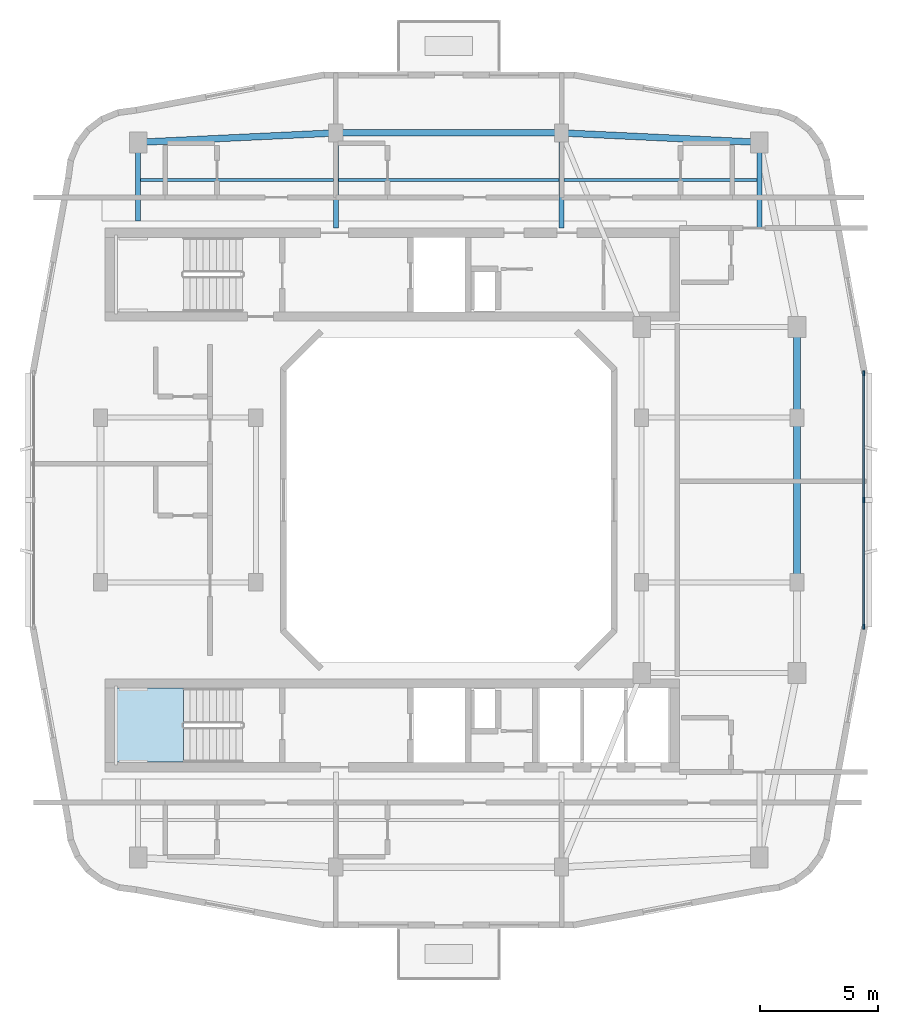
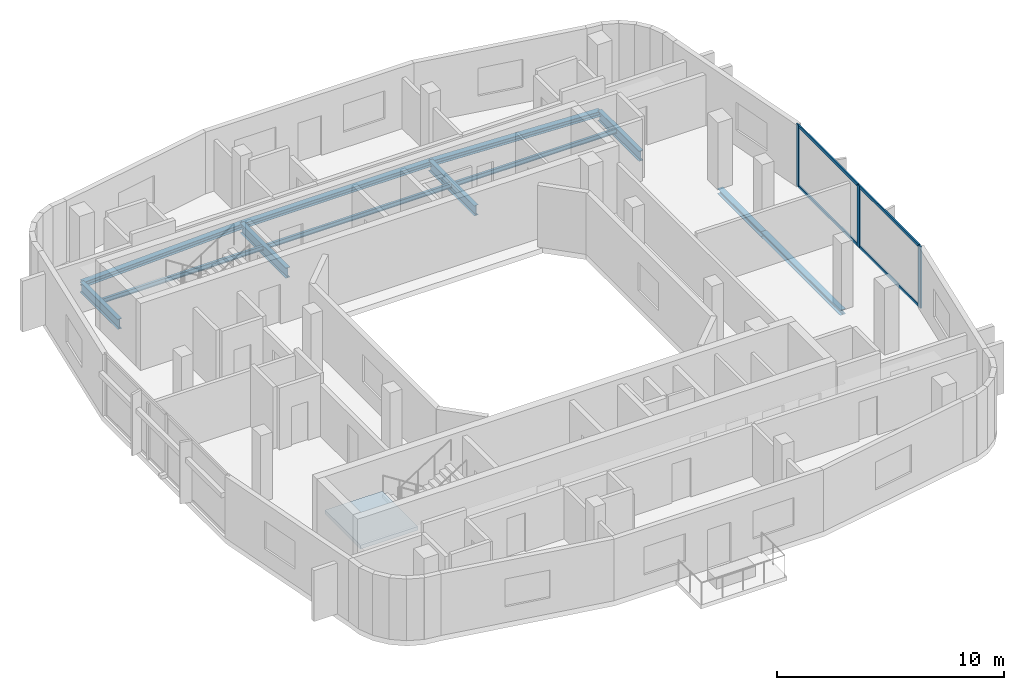
# One storey, part 2 of 10: 12 beams, 7 members, 1 slab, 2 elements without a shape of their own.
"""IFC4 building model written with IfcOpenShell, lengths in metres."""

from ifc_helpers import new_model, si_unit, derived_unit, direction, frame, origin, origin_2d, place, context, subcontext, project, spatial, polyline, rectangle, i_section, outline, extrude, material, layer, layer_set, material_profile, profile_set, type_object, element, aggregate, save


model = new_model("IFC4")

# Units and contexts
model_context = context("Model", 3, precision=1e-05, world=origin(), true_north=direction((0.0, 1.0)))
body_context = subcontext(model_context, "Body", "Model", "MODEL_VIEW")
ifc_project = project(units=[si_unit("LENGTHUNIT", "METRE"), si_unit("AREAUNIT", "SQUARE_METRE"), si_unit("VOLUMEUNIT", "CUBIC_METRE"), si_unit("PLANEANGLEUNIT", "RADIAN"), si_unit("MASSUNIT", "GRAM", prefix="KILO"), derived_unit("THERMALTRANSMITTANCEUNIT", [(si_unit("POWERUNIT", "WATT"), 1), (si_unit("LENGTHUNIT", "METRE"), -2), (si_unit("THERMODYNAMICTEMPERATUREUNIT", "KELVIN"), -1)])], contexts=[model_context])

# Site, building, storey
site_placement = place(None, origin())
site = spatial("IfcSite", under=ifc_project, at=site_placement, CompositionType="ELEMENT")
building_placement = place(site_placement, origin())
building = spatial("IfcBuilding", under=site, at=building_placement, Name="Kivonza Crest Hotel", CompositionType="ELEMENT")
storey_placement = place(building_placement, frame((0.0, 0.0, 254.0)))
storey = spatial("IfcBuildingStorey", under=building, at=storey_placement, Name="L69", CompositionType="ELEMENT", Elevation=254.0)

# Beams
ifc_material_1 = material(Name="Steel S355", Category="steel")
ifc_material_profile_1 = material_profile(ifc_material_1, i_section(OverallWidth=0.280029296875, OverallDepth=0.280029296875, WebThickness=0.010498046875, FlangeThickness=0.01806640625, FilletRadius=0.02392578125, at=origin_2d()), Name="HEB 280")
ifc_profile_set_1 = profile_set([ifc_material_profile_1], Name="Steel S355")
beam_type_1 = type_object("IfcBeamType", Name="BM-HEB280", PredefinedType="SPANDREL", material=ifc_profile_set_1)
beam_1_placement = place(storey_placement, frame((35.800048828125, 21.5, -0.419921875), z_axis=(0.0, 1.0, 0.0), x_axis=(-1.0, 0.0, 0.0)))
element("IfcBeam", 1, at=beam_1_placement, inside=storey, type_object=beam_type_1, Name="Tower T1 L69 perimeter spandrel E1-E2", PredefinedType="SPANDREL", context=body_context, shape_type="SweptSolid", body=[
    extrude(i_section(OverallWidth=0.280029296875, OverallDepth=0.280029296875, WebThickness=0.010498046875, FlangeThickness=0.01806640625, FilletRadius=0.02392578125, at=origin_2d()), origin(), (0.0, 0.0, 1.0), 7.0),
])
beam_2_placement = place(storey_placement, frame((35.800048828125, 28.5, -0.419921875), z_axis=(0.0, 1.0, 0.0), x_axis=(-1.0, 0.0, 0.0)))
element("IfcBeam", 2, at=beam_2_placement, inside=storey, type_object=beam_type_1, Name="Tower T1 L69 perimeter spandrel E2-PNE", PredefinedType="SPANDREL", context=body_context, shape_type="SweptSolid", body=[
    extrude(i_section(OverallWidth=0.280029296875, OverallDepth=0.280029296875, WebThickness=0.010498046875, FlangeThickness=0.01806640625, FilletRadius=0.02392578125, at=origin_2d()), origin(), (0.0, 0.0, 1.0), 3.85009765625),
])
beam_3_placement = place(storey_placement, frame((34.199951171875, 40.199951171875, -0.419921875), z_axis=(-0.998867283688, 0.047583080799, 0.0), x_axis=(-0.047583080799, -0.998867283688, 0.0)))
element("IfcBeam", 3, at=beam_3_placement, inside=storey, type_object=beam_type_1, Name="Tower T1 L69 perimeter spandrel NE-N2", PredefinedType="SPANDREL", context=body_context, shape_type="SweptSolid", body=[
    extrude(i_section(OverallWidth=0.280029296875, OverallDepth=0.280029296875, WebThickness=0.010498046875, FlangeThickness=0.01806640625, FilletRadius=0.02392578125, at=origin_2d()), origin(), (0.0, 0.0, 1.0), 8.409423828125),
])
beam_4_placement = place(storey_placement, frame((25.800048828125, 40.60009765625, -0.419921875), z_axis=(-1.0, 0.0, 0.0), x_axis=(0.0, -1.0, 0.0)))
element("IfcBeam", 4, at=beam_4_placement, inside=storey, type_object=beam_type_1, Name="Tower T1 L69 perimeter spandrel N2-N1", PredefinedType="SPANDREL", context=body_context, shape_type="SweptSolid", body=[
    extrude(i_section(OverallWidth=0.280029296875, OverallDepth=0.280029296875, WebThickness=0.010498046875, FlangeThickness=0.01806640625, FilletRadius=0.02392578125, at=origin_2d()), origin(), (0.0, 0.0, 1.0), 9.60009765625),
])
beam_5_placement = place(storey_placement, frame((16.199951171875, 40.60009765625, -0.419921875), z_axis=(-0.998867283688, -0.047583080799, 0.0), x_axis=(0.047583080799, -0.998867283688, 0.0)))
element("IfcBeam", 5, at=beam_5_placement, inside=storey, type_object=beam_type_1, Name="Tower T1 L69 perimeter spandrel N1-NW", PredefinedType="SPANDREL", context=body_context, shape_type="SweptSolid", body=[
    extrude(i_section(OverallWidth=0.280029296875, OverallDepth=0.280029296875, WebThickness=0.010498046875, FlangeThickness=0.01806640625, FilletRadius=0.02392578125, at=origin_2d()), origin(), (0.0, 0.0, 1.0), 8.409423828125),
])
ifc_material_profile_2 = material_profile(ifc_material_1, i_section(OverallWidth=0.1201171875, OverallDepth=0.239990234375, WebThickness=0.006103515625, FlangeThickness=0.009765625, FilletRadius=0.014892578125, at=origin_2d()), Name="IPE 240")
ifc_profile_set_2 = profile_set([ifc_material_profile_2], Name="Steel S355")
beam_type_2 = type_object("IfcBeamType", Name="BM-IPE240", PredefinedType="JOIST", material=ifc_profile_set_2)
beam_6_placement = place(storey_placement, frame((7.8798828125, 38.60009765625, -0.39990234375), z_axis=(1.0, 0.0, 0.0), x_axis=(0.0, 1.0, 0.0)))
element("IfcBeam", 6, at=beam_6_placement, inside=storey, type_object=beam_type_2, Name="Tower T1 L69 North-West floor joist", PredefinedType="JOIST", context=body_context, shape_type="SweptSolid", body=[
    extrude(i_section(OverallWidth=0.1201171875, OverallDepth=0.239990234375, WebThickness=0.006103515625, FlangeThickness=0.009765625, FilletRadius=0.014892578125, at=origin_2d()), origin(), (0.0, 0.0, 1.0), 8.240234375),
])
beam_7_placement = place(storey_placement, frame((16.280029296875, 38.60009765625, -0.39990234375), z_axis=(1.0, 0.0, 0.0), x_axis=(0.0, 1.0, 0.0)))
element("IfcBeam", 7, at=beam_7_placement, inside=storey, type_object=beam_type_2, Name="Tower T1 L69 North-Mid floor joist", PredefinedType="JOIST", context=body_context, shape_type="SweptSolid", body=[
    extrude(i_section(OverallWidth=0.1201171875, OverallDepth=0.239990234375, WebThickness=0.006103515625, FlangeThickness=0.009765625, FilletRadius=0.014892578125, at=origin_2d()), origin(), (0.0, 0.0, 1.0), 9.43994140625),
])
beam_8_placement = place(storey_placement, frame((25.8798828125, 38.60009765625, -0.39990234375), z_axis=(1.0, 0.0, 0.0), x_axis=(0.0, 1.0, 0.0)))
element("IfcBeam", 8, at=beam_8_placement, inside=storey, type_object=beam_type_2, Name="Tower T1 L69 North-East floor joist", PredefinedType="JOIST", context=body_context, shape_type="SweptSolid", body=[
    extrude(i_section(OverallWidth=0.1201171875, OverallDepth=0.239990234375, WebThickness=0.006103515625, FlangeThickness=0.009765625, FilletRadius=0.014892578125, at=origin_2d()), origin(), (0.0, 0.0, 1.0), 8.240234375),
])
ifc_material_profile_3 = material_profile(ifc_material_1, i_section(OverallWidth=0.2099609375, OverallDepth=0.550048828125, WebThickness=0.010986328125, FlangeThickness=0.01708984375, FilletRadius=0.02392578125, at=origin_2d()), Name="IPE 550")
ifc_profile_set_3 = profile_set([ifc_material_profile_3], Name="Steel S355")
beam_type_3 = type_object("IfcBeamType", Name="BM-IPE550", PredefinedType="BEAM", material=ifc_profile_set_3)
beam_9_placement = place(storey_placement, frame((7.800048828125, 40.199951171875, -0.554931640625), z_axis=(0.0, -1.0, 0.0), x_axis=(1.0, 0.0, 0.0)))
element("IfcBeam", 9, at=beam_9_placement, inside=storey, type_object=beam_type_3, Name="Tower T1 L69 radial core girder RNW", PredefinedType="BEAM", context=body_context, shape_type="SweptSolid", body=[
    extrude(i_section(OverallWidth=0.2099609375, OverallDepth=0.550048828125, WebThickness=0.010986328125, FlangeThickness=0.01708984375, FilletRadius=0.02392578125, at=origin_2d()), origin(), (0.0, 0.0, 1.0), 3.349853515625),
])
for number, where, z_axis, x_axis, name in (
    (10, (16.199951171875, 40.60009765625, -0.554931640625), (0.0, -1.0, 0.0), (1.0, 0.0, 0.0), "Tower T1 L69 radial core girder RN1"),
    (11, (25.800048828125, 40.60009765625, -0.554931640625), (0.0, -1.0, 0.0), (1.0, 0.0, 0.0), "Tower T1 L69 radial core girder RN2"),
):
    element("IfcBeam", number, at=place(storey_placement, frame(where, z_axis=z_axis, x_axis=x_axis)), inside=storey, type_object=beam_type_3, Name=name, PredefinedType="BEAM", context=body_context, shape_type="SweptSolid", body=[
        extrude(i_section(OverallWidth=0.2099609375, OverallDepth=0.550048828125, WebThickness=0.010986328125, FlangeThickness=0.01708984375, FilletRadius=0.02392578125, at=origin_2d()), origin(), (0.0, 0.0, 1.0), 4.050048828125),
    ])
beam_10_placement = place(storey_placement, frame((34.199951171875, 40.199951171875, -0.554931640625), z_axis=(0.0, -1.0, 0.0), x_axis=(1.0, 0.0, 0.0)))
element("IfcBeam", 12, at=beam_10_placement, inside=storey, type_object=beam_type_3, Name="Tower T1 L69 radial core girder RNE", PredefinedType="BEAM", context=body_context, shape_type="SweptSolid", body=[
    extrude(i_section(OverallWidth=0.2099609375, OverallDepth=0.550048828125, WebThickness=0.010986328125, FlangeThickness=0.01708984375, FilletRadius=0.02392578125, at=origin_2d()), origin(), (0.0, 0.0, 1.0), 3.64990234375),
])

# Curtain wall, members
ifc_material_2 = material(Name="Anodised bronze aluminium and low-E double glazing", Category="aluminium")
ifc_layer_1 = layer(ifc_material_2, 0.179931640625)
ifc_layer_set_1 = layer_set([ifc_layer_1], Name="Anodised bronze aluminium and low-E double glazing")
curtain_wall_type = type_object("IfcCurtainWallType", Name="CW-SYS-3", PredefinedType="NOTDEFINED", material=ifc_layer_set_1)
curtain_wall_placement = place(storey_placement, origin())
curtain_wall = element("IfcCurtainWall", 13, at=curtain_wall_placement, inside=storey, type_object=curtain_wall_type, Name="L69 unitised curtain wall CW-T1-L69-17", PredefinedType="NOTDEFINED")
ifc_material_3 = material(Name="Anodised bronze aluminium", Category="aluminium")
ifc_material_profile_4 = material_profile(ifc_material_3, rectangle(XDim=0.074951171875, YDim=0.219970703125, at=origin_2d()), Name="CW-M 75x220")
ifc_profile_set_4 = profile_set([ifc_material_profile_4], Name="Anodised bronze aluminium")
member_type_1 = type_object("IfcMemberType", Name="CW-MUL-75x220", PredefinedType="MULLION", material=ifc_profile_set_4)
member_1_placement = place(storey_placement, frame((38.639892578125, 19.617431640625, 0.0), z_axis=(0.0, 0.0, 1.0), x_axis=(-1.0, 0.0, 0.0)))
member_1 = element("IfcMember", 14, at=member_1_placement, type_object=member_type_1, Name="CW-3 mullion 1", PredefinedType="MULLION", context=body_context, shape_type="SweptSolid", body=[
    extrude(rectangle(XDim=0.074951171875, YDim=0.219970703125, at=origin_2d()), origin(), (0.0, 0.0, 1.0), 3.320068359375),
])
member_2_placement = place(storey_placement, frame((38.639892578125, 25.0, 0.0), z_axis=(0.0, 0.0, 1.0), x_axis=(-1.0, 0.0, 0.0)))
member_2 = element("IfcMember", 15, at=member_2_placement, type_object=member_type_1, Name="CW-3 mullion 2", PredefinedType="MULLION", context=body_context, shape_type="SweptSolid", body=[
    extrude(rectangle(XDim=0.074951171875, YDim=0.219970703125, at=origin_2d()), origin(), (0.0, 0.0, 1.0), 3.320068359375),
])
member_3_placement = place(storey_placement, frame((38.639892578125, 30.382568359375, 0.0), z_axis=(0.0, 0.0, 1.0), x_axis=(-1.0, 0.0, 0.0)))
member_3 = element("IfcMember", 16, at=member_3_placement, type_object=member_type_1, Name="CW-3 mullion 3", PredefinedType="MULLION", context=body_context, shape_type="SweptSolid", body=[
    extrude(rectangle(XDim=0.074951171875, YDim=0.219970703125, at=origin_2d()), origin(), (0.0, 0.0, 1.0), 3.320068359375),
])
ifc_material_profile_5 = material_profile(ifc_material_3, rectangle(XDim=0.074951171875, YDim=0.159912109375, at=origin_2d()), Name="CW-T 75x160")
ifc_profile_set_5 = profile_set([ifc_material_profile_5], Name="Anodised bronze aluminium")
member_type_2 = type_object("IfcMemberType", Name="CW-TRN-75x160", PredefinedType="USERDEFINED", material=ifc_profile_set_5)
member_4_placement = place(storey_placement, frame((38.639892578125, 19.655029296875, 0.03759765625), z_axis=(0.0, 1.0, 0.0), x_axis=(-1.0, 0.0, 0.0)))
member_4 = element("IfcMember", 17, at=member_4_placement, type_object=member_type_2, Name="CW-3 transom 1.1", ObjectType="TRANSOM", PredefinedType="USERDEFINED", context=body_context, shape_type="SweptSolid", body=[
    extrude(rectangle(XDim=0.074951171875, YDim=0.159912109375, at=origin_2d()), origin(), (0.0, 0.0, 1.0), 5.307373046875),
])
member_5_placement = place(storey_placement, frame((38.639892578125, 19.655029296875, 3.282470703125), z_axis=(0.0, 1.0, 0.0), x_axis=(-1.0, 0.0, 0.0)))
member_5 = element("IfcMember", 18, at=member_5_placement, type_object=member_type_2, Name="CW-3 transom 1.2", ObjectType="TRANSOM", PredefinedType="USERDEFINED", context=body_context, shape_type="SweptSolid", body=[
    extrude(rectangle(XDim=0.074951171875, YDim=0.159912109375, at=origin_2d()), origin(), (0.0, 0.0, 1.0), 5.307373046875),
])
member_6_placement = place(storey_placement, frame((38.639892578125, 25.03759765625, 0.03759765625), z_axis=(0.0, 1.0, 0.0), x_axis=(-1.0, 0.0, 0.0)))
member_6 = element("IfcMember", 19, at=member_6_placement, type_object=member_type_2, Name="CW-3 transom 2.1", ObjectType="TRANSOM", PredefinedType="USERDEFINED", context=body_context, shape_type="SweptSolid", body=[
    extrude(rectangle(XDim=0.074951171875, YDim=0.159912109375, at=origin_2d()), origin(), (0.0, 0.0, 1.0), 5.307373046875),
])
member_7_placement = place(storey_placement, frame((38.639892578125, 25.03759765625, 3.282470703125), z_axis=(0.0, 1.0, 0.0), x_axis=(-1.0, 0.0, 0.0)))
member_7 = element("IfcMember", 20, at=member_7_placement, type_object=member_type_2, Name="CW-3 transom 2.2", ObjectType="TRANSOM", PredefinedType="USERDEFINED", context=body_context, shape_type="SweptSolid", body=[
    extrude(rectangle(XDim=0.074951171875, YDim=0.159912109375, at=origin_2d()), origin(), (0.0, 0.0, 1.0), 5.307373046875),
])
aggregate(curtain_wall, [member_1, member_2, member_3, member_4, member_5, member_6, member_7])

# Stair, slab
ifc_material_4 = material(Name="Concrete C40/50", Category="concrete")
stair_type = type_object("IfcStairType", Name="ST-DL-20R", PredefinedType="HALF_TURN_STAIR", material=ifc_material_4)
stair_placement = place(storey_placement, origin())
stair = element("IfcStair", 21, at=stair_placement, inside=storey, type_object=stair_type, Name="L69 Protected Exit Stair ST-T1-S", PredefinedType="HALF_TURN_STAIR")
ifc_layer_2 = layer(ifc_material_4, 0.199951171875)
ifc_layer_set_2 = layer_set([ifc_layer_2], Name="Concrete C40/50")
slab_type = type_object("IfcSlabType", Name="SL-LAND-200", PredefinedType="LANDING", material=ifc_layer_set_2)
slab_placement = place(storey_placement, frame((0.0, 0.0, 1.60009765625)))
slab = element("IfcSlab", 22, at=slab_placement, type_object=slab_type, Name="ST-T1-S landing 1", PredefinedType="LANDING", context=body_context, shape_type="SweptSolid", body=[
    extrude(outline(polyline([(9.719970703125, 17.0), (6.800048828125, 17.0), (6.800048828125, 13.860107421875), (9.719970703125, 13.860107421875), (9.719970703125, 17.0)])), origin(), (0.0, 0.0, 1.0), 0.199951171875),
])
aggregate(stair, [slab])

save(model, "model.ifc")
